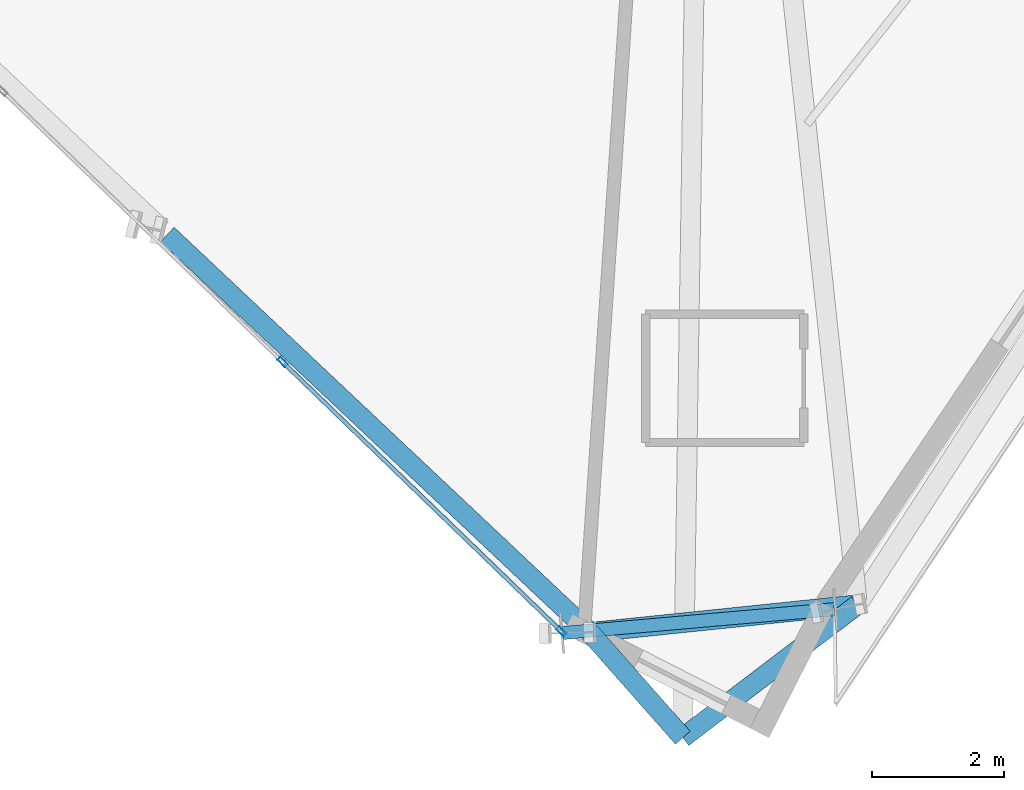
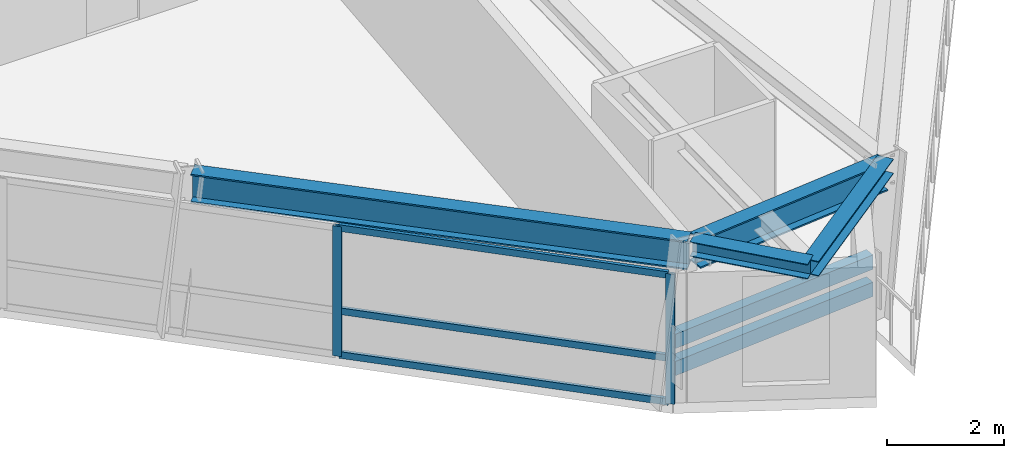
# One storey, part 3 of 13: 7 members, 4 beams, 1 element without a shape of its own.
"""IFC4 building model written with IfcOpenShell, lengths in metres."""

from ifc_helpers import new_model, si_unit, direction, frame, origin, origin_2d, place, context, subcontext, project, spatial, hollow_rectangle, i_section, extrude, source, transform, mapped, material, material_profile, profile_set, type_object, element, aggregate, save


model = new_model("IFC4")

# Units and contexts
model_context = context("Model", 3, precision=1e-05, world=origin(), true_north=direction((0.0, 1.0)))
body_context = subcontext(model_context, "Body", "Model", "MODEL_VIEW")
ifc_project = project(units=[si_unit("LENGTHUNIT", "METRE"), si_unit("AREAUNIT", "SQUARE_METRE"), si_unit("VOLUMEUNIT", "CUBIC_METRE"), si_unit("PLANEANGLEUNIT", "RADIAN"), si_unit("MASSUNIT", "GRAM", prefix="KILO")], contexts=[model_context])

# Site, building, storey
site_placement = place(None, origin())
site = spatial("IfcSite", under=ifc_project, at=site_placement, CompositionType="ELEMENT")
building_placement = place(site_placement, origin())
building = spatial("IfcBuilding", under=site, at=building_placement, Name="Olszyna Solenne Hotel", CompositionType="ELEMENT")
storey_placement = place(building_placement, frame((0.0, 0.0, 192.75)))
storey = spatial("IfcBuildingStorey", under=building, at=storey_placement, Name="L51", CompositionType="ELEMENT", Elevation=192.75)

# Beams
ifc_material_1 = material(Name="Steel S355J2", Category="steel")
ifc_material_profile_1 = material_profile(ifc_material_1, i_section(OverallWidth=0.300048828125, OverallDepth=0.60009765625, WebThickness=0.015380859375, FlangeThickness=0.030029296875, at=origin_2d()), Name="HEB 600", Category="load-bearing")
ifc_profile_set_1 = profile_set([ifc_material_profile_1], Name="Steel S355J2")
beam_type_1 = type_object("IfcBeamType", Name="BM-S2", PredefinedType="BEAM", material=ifc_profile_set_1)
shared_shape_1 = source(origin(), body_context, "Body", "SweptSolid", [
    extrude(i_section(OverallWidth=0.300048828125, OverallDepth=0.60009765625, WebThickness=0.015380859375, FlangeThickness=0.030029296875, at=origin_2d()), origin(), (0.0, 0.0, 1.0), 8.75341796875),
])
beam_1_placement = place(storey_placement, frame((30.056396484375, 8.442138671875, 3.030029296875), z_axis=(0.727945293352, -0.68563521634, 0.0), x_axis=(0.68563521634, 0.727945293352, 0.0)))
element("IfcBeam", 1, at=beam_1_placement, inside=storey, type_object=beam_type_1, Name="Perimeter spandrel beam BM-S2 B-L51-1519", PredefinedType="BEAM", context=body_context, shape_type="MappedRepresentation", body=[
    mapped(shared_shape_1, transform((0.0, 0.0, 0.0), x_axis=(1.0, 0.0, 0.0), y_axis=(0.0, 1.0, 0.0), z_axis=(0.0, 0.0, 1.0), scale=1.0)),
])
shared_shape_2 = source(origin(), body_context, "Body", "SweptSolid", [
    extrude(i_section(OverallWidth=0.300048828125, OverallDepth=0.60009765625, WebThickness=0.015380859375, FlangeThickness=0.030029296875, at=origin_2d()), origin(), (0.0, 0.0, 1.0), 3.966552734375),
])
beam_2_placement = place(storey_placement, frame((36.53173828125, 2.405517578125, 3.030029296875), z_axis=(0.994703300998, 0.102787854258, 0.0), x_axis=(-0.102787854258, 0.994703300998, 0.0)))
element("IfcBeam", 2, at=beam_2_placement, inside=storey, type_object=beam_type_1, Name="Perimeter spandrel beam BM-S2 B-L51-1520", PredefinedType="BEAM", context=body_context, shape_type="MappedRepresentation", body=[
    mapped(shared_shape_2, transform((0.0, 0.0, 0.0), x_axis=(1.0, 0.0, 0.0), y_axis=(0.0, 1.0, 0.0), z_axis=(0.0, 0.0, 1.0), scale=1.0)),
])
ifc_material_profile_2 = material_profile(ifc_material_1, i_section(OverallWidth=0.300048828125, OverallDepth=0.31005859375, WebThickness=0.009033203125, FlangeThickness=0.015380859375, at=origin_2d()), Name="HEA 320", Category="load-bearing")
ifc_profile_set_2 = profile_set([ifc_material_profile_2], Name="Steel S355J2")
beam_type_2 = type_object("IfcBeamType", Name="BM-G3", PredefinedType="BEAM", material=ifc_profile_set_2)
shared_shape_3 = source(origin(), body_context, "Body", "SweptSolid", [
    extrude(i_section(OverallWidth=0.300048828125, OverallDepth=0.31005859375, WebThickness=0.009033203125, FlangeThickness=0.015380859375, at=origin_2d()), origin(), (0.0, 0.0, 1.0), 2.1337890625),
])
beam_3_placement = place(storey_placement, frame((36.47216796875, 2.3994140625, 3.175048828125), z_axis=(0.661988611534, -0.749513894601, 0.0), x_axis=(0.749513894601, 0.661988611534, 0.0)))
element("IfcBeam", 3, at=beam_3_placement, inside=storey, type_object=beam_type_2, Name="Prism side edge beam BM-G3 B-L51-1533", PredefinedType="BEAM", context=body_context, shape_type="MappedRepresentation", body=[
    mapped(shared_shape_3, transform((0.0, 0.0, 0.0), x_axis=(1.0, 0.0, 0.0), y_axis=(0.0, 1.0, 0.0), z_axis=(0.0, 0.0, 1.0), scale=1.0)),
])
shared_shape_4 = source(origin(), body_context, "Body", "SweptSolid", [
    extrude(i_section(OverallWidth=0.300048828125, OverallDepth=0.31005859375, WebThickness=0.009033203125, FlangeThickness=0.015380859375, at=origin_2d()), origin(), (0.0, 0.0, 1.0), 3.33349609375),
])
beam_4_placement = place(storey_placement, frame((40.537109375, 2.8193359375, 3.175048828125), z_axis=(-0.795655267042, -0.605749697506, 0.0), x_axis=(0.605749697506, -0.795655267042, 0.0)))
element("IfcBeam", 4, at=beam_4_placement, inside=storey, type_object=beam_type_2, Name="Prism side edge beam BM-G3 B-L51-1534", PredefinedType="BEAM", context=body_context, shape_type="MappedRepresentation", body=[
    mapped(shared_shape_4, transform((0.0, 0.0, 0.0), x_axis=(1.0, 0.0, 0.0), y_axis=(0.0, 1.0, 0.0), z_axis=(0.0, 0.0, 1.0), scale=1.0)),
])

# Members
ifc_material_profile_3 = material_profile(ifc_material_1, hollow_rectangle(XDim=0.199951171875, YDim=0.300048828125, WallThickness=0.01611328125, at=origin_2d()), Name="RHS 300x200x16", Category="load-bearing")
ifc_profile_set_3 = profile_set([ifc_material_profile_3], Name="Steel S355J2")
member_type_1 = type_object("IfcMemberType", Name="CH-PR1", PredefinedType="CHORD", material=ifc_profile_set_3)
shared_shape_5 = source(origin(), body_context, "Body", "SweptSolid", [
    extrude(hollow_rectangle(XDim=0.199951171875, YDim=0.300048828125, WallThickness=0.01611328125, at=origin_2d()), origin(), (0.0, 0.0, 1.0), 4.1376953125),
])
for number, where, z_axis, x_axis, name in (
    (5, (36.064453125, 2.390380859375, 1.35009765625), (0.996189937792, 0.087210136117, 0.0), (-0.087210136117, 0.996189937792, 0.0), "Glass-prism tie chord CH-PR1 M-L51-PR1"),
    (6, (36.064453125, 2.390380859375, 0.780029296875), (0.996189937792, 0.087210136117, 0.0), (-0.087210136117, 0.996189937792, 0.0), "Glass-prism tie chord CH-PR1 M-L51-PR2"),
):
    element("IfcMember", number, at=place(storey_placement, frame(where, z_axis=z_axis, x_axis=x_axis)), inside=storey, type_object=member_type_1, Name=name, PredefinedType="CHORD", context=body_context, shape_type="MappedRepresentation", body=[
        mapped(shared_shape_5, transform((0.0, 0.0, 0.0), x_axis=(1.0, 0.0, 0.0), y_axis=(0.0, 1.0, 0.0), z_axis=(0.0, 0.0, 1.0), scale=1.0)),
    ])

# Curtain wall, members
ifc_material_2 = material(Name="Anodised bronze aluminium", Category="aluminium")
curtain_wall_type = type_object("IfcCurtainWallType", Name="CW-SYS-4", PredefinedType="NOTDEFINED", material=ifc_material_2)
curtain_wall_placement = place(storey_placement, origin())
curtain_wall = element("IfcCurtainWall", 7, at=curtain_wall_placement, inside=storey, type_object=curtain_wall_type, Name="Unitised curtain wall CW-SYS-4 CW-L51-01", PredefinedType="NOTDEFINED")
ifc_material_profile_4 = material_profile(ifc_material_2, hollow_rectangle(XDim=0.06494140625, YDim=0.159912109375, WallThickness=0.00390625, at=origin_2d()), Name="MULL 160x65x4", Category="load-bearing")
ifc_profile_set_4 = profile_set([ifc_material_profile_4], Name="Anodised bronze aluminium")
member_type_2 = type_object("IfcMemberType", Name="CW-M3", PredefinedType="MULLION", material=ifc_profile_set_4)
shared_shape_6 = source(origin(), body_context, "Body", "SweptSolid", [
    extrude(hollow_rectangle(XDim=0.06494140625, YDim=0.159912109375, WallThickness=0.00390625, at=origin_2d()), origin(), (0.0, 0.0, 1.0), 2.721923828125),
])
member_1_placement = place(storey_placement, frame((31.806884765625, 6.505859375, 0.0), z_axis=(0.0, 0.0, 1.0), x_axis=(0.695023357855, 0.718987157073, 0.0)))
member_1 = element("IfcMember", 8, at=member_1_placement, type_object=member_type_2, Name="Curtain-wall mullion CW-M3 CM-L51-01-03", PredefinedType="MULLION", context=body_context, shape_type="MappedRepresentation", body=[
    mapped(shared_shape_6, transform((0.0, 0.0, 0.0), x_axis=(1.0, 0.0, 0.0), y_axis=(0.0, 1.0, 0.0), z_axis=(0.0, 0.0, 1.0), scale=1.0)),
])
member_2_placement = place(storey_placement, frame((36.041015625, 2.4130859375, 0.0), z_axis=(0.0, 0.0, 1.0), x_axis=(0.695023357855, 0.718987157073, 0.0)))
member_2 = element("IfcMember", 9, at=member_2_placement, type_object=member_type_2, Name="Curtain-wall mullion CW-M3 CM-L51-01-04", PredefinedType="MULLION", context=body_context, shape_type="MappedRepresentation", body=[
    mapped(shared_shape_6, transform((0.0, 0.0, 0.0), x_axis=(1.0, 0.0, 0.0), y_axis=(0.0, 1.0, 0.0), z_axis=(0.0, 0.0, 1.0), scale=1.0)),
])
ifc_material_profile_5 = material_profile(ifc_material_2, hollow_rectangle(XDim=0.06494140625, YDim=0.139892578125, WallThickness=0.00390625, at=origin_2d()), Name="TRAN 140x65x4", Category="load-bearing")
ifc_profile_set_5 = profile_set([ifc_material_profile_5], Name="Anodised bronze aluminium")
member_type_3 = type_object("IfcMemberType", Name="CW-T2", PredefinedType="USERDEFINED", material=ifc_profile_set_5)
shared_shape_7 = source(origin(), body_context, "Body", "SweptSolid", [
    extrude(hollow_rectangle(XDim=0.06494140625, YDim=0.139892578125, WallThickness=0.00390625, at=origin_2d()), origin(), (0.0, 0.0, 1.0), 5.823974609375),
])
member_3_placement = place(storey_placement, frame((31.830322265625, 6.4833984375, 0.032470703125), z_axis=(0.718973712239, -0.695037265986, 0.0), x_axis=(0.695037265986, 0.718973712239, 0.0)))
member_3 = element("IfcMember", 10, at=member_3_placement, type_object=member_type_3, Name="Curtain-wall transom CW-T2 CT-L51-01-07", ObjectType="TRANSOM", PredefinedType="USERDEFINED", context=body_context, shape_type="MappedRepresentation", body=[
    mapped(shared_shape_7, transform((0.0, 0.0, 0.0), x_axis=(1.0, 0.0, 0.0), y_axis=(0.0, 1.0, 0.0), z_axis=(0.0, 0.0, 1.0), scale=1.0)),
])
member_4_placement = place(storey_placement, frame((31.830322265625, 6.4833984375, 0.949951171875), z_axis=(0.718973712239, -0.695037265986, 0.0), x_axis=(0.695037265986, 0.718973712239, 0.0)))
member_4 = element("IfcMember", 11, at=member_4_placement, type_object=member_type_3, Name="Curtain-wall transom CW-T2 CT-L51-01-08", ObjectType="TRANSOM", PredefinedType="USERDEFINED", context=body_context, shape_type="MappedRepresentation", body=[
    mapped(shared_shape_7, transform((0.0, 0.0, 0.0), x_axis=(1.0, 0.0, 0.0), y_axis=(0.0, 1.0, 0.0), z_axis=(0.0, 0.0, 1.0), scale=1.0)),
])
member_5_placement = place(storey_placement, frame((31.830322265625, 6.4833984375, 2.689453125), z_axis=(0.718973712239, -0.695037265986, 0.0), x_axis=(0.695037265986, 0.718973712239, 0.0)))
member_5 = element("IfcMember", 12, at=member_5_placement, type_object=member_type_3, Name="Curtain-wall transom CW-T2 CT-L51-01-09", ObjectType="TRANSOM", PredefinedType="USERDEFINED", context=body_context, shape_type="MappedRepresentation", body=[
    mapped(shared_shape_7, transform((0.0, 0.0, 0.0), x_axis=(1.0, 0.0, 0.0), y_axis=(0.0, 1.0, 0.0), z_axis=(0.0, 0.0, 1.0), scale=1.0)),
])
aggregate(curtain_wall, [member_1, member_2, member_3, member_4, member_5])

save(model, "model.ifc")
